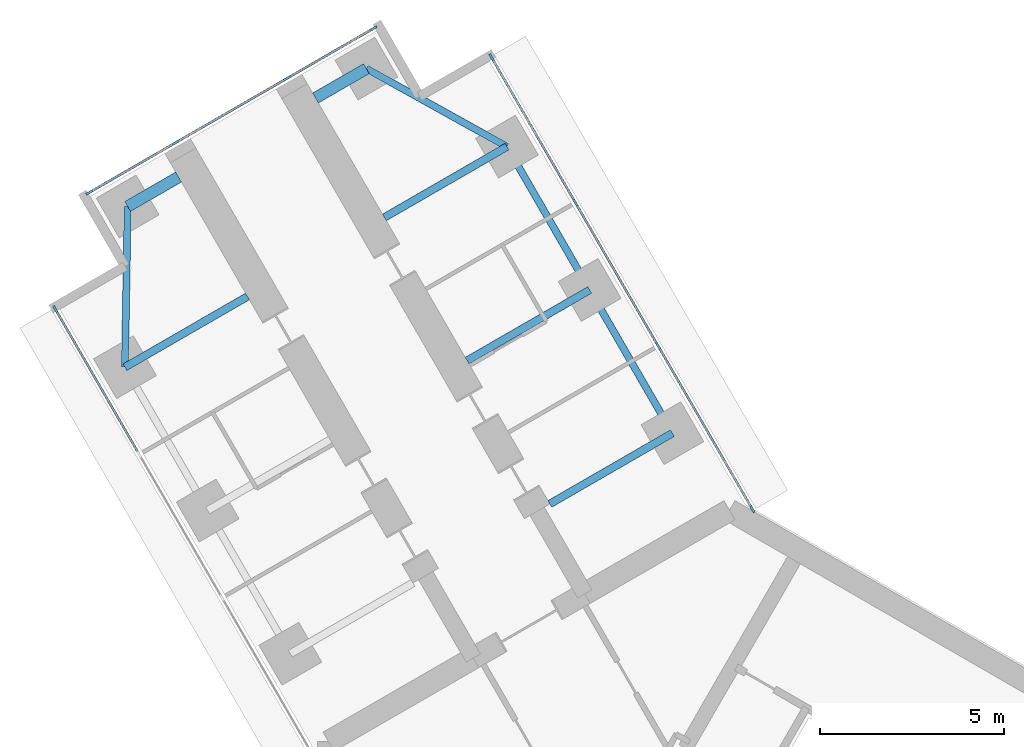
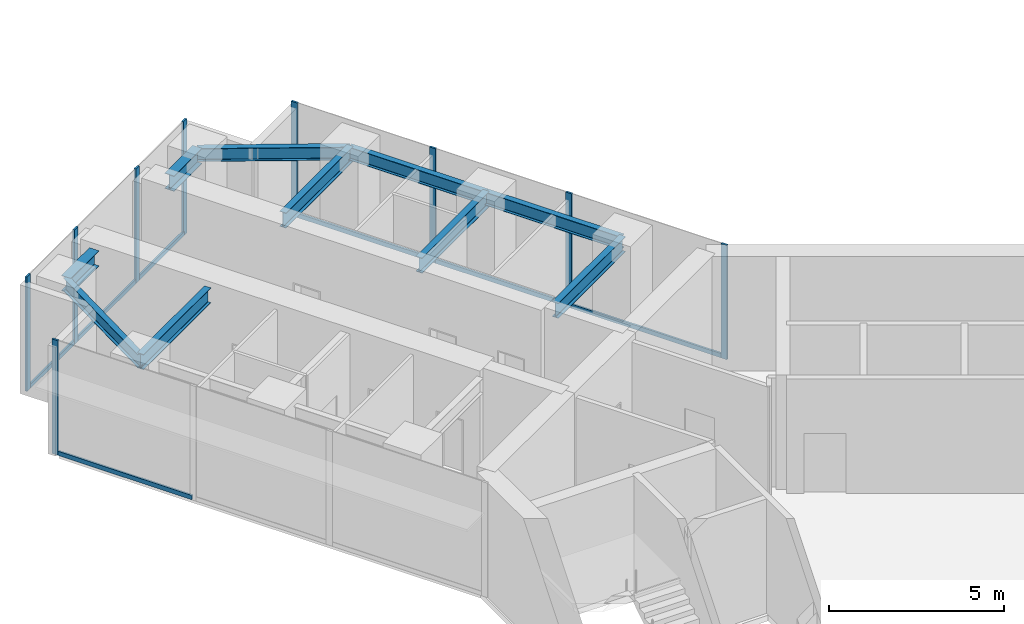
# One storey, part 6 of 23: 16 members, 10 beams, 3 elements without a shape of their own.
"""IFC4 building model written with IfcOpenShell, lengths in metres."""

from ifc_helpers import new_model, si_unit, direction, frame, origin, origin_2d, place, context, subcontext, project, spatial, rectangle, i_section, extrude, material, material_profile, profile_set, type_object, element, aggregate, save


model = new_model("IFC4")

# Units and contexts
model_context = context("Model", 3, precision=1e-05, world=origin(), true_north=direction((0.0, 1.0)))
body_context = subcontext(model_context, "Body", "Model", "MODEL_VIEW")
ifc_project = project(units=[si_unit("LENGTHUNIT", "METRE"), si_unit("AREAUNIT", "SQUARE_METRE"), si_unit("VOLUMEUNIT", "CUBIC_METRE"), si_unit("PLANEANGLEUNIT", "RADIAN"), si_unit("MASSUNIT", "GRAM", prefix="KILO")], contexts=[model_context])

# Site, building, storey
site_placement = place(None, origin())
site = spatial("IfcSite", under=ifc_project, at=site_placement, CompositionType="ELEMENT")
building_placement = place(site_placement, origin())
building = spatial("IfcBuilding", under=site, at=building_placement, Name="Upepo Twin Towers", CompositionType="ELEMENT")
storey_placement = place(building_placement, frame((0.0, 0.0, 153.5)))
storey = spatial("IfcBuildingStorey", under=building, at=storey_placement, Name="L37", CompositionType="ELEMENT", Elevation=153.5)

# Beams
ifc_material_1 = material(Name="Steel S355", Category="steel")
ifc_material_profile_1 = material_profile(ifc_material_1, i_section(OverallWidth=0.1904296875, OverallDepth=0.45703125, WebThickness=0.009033203125, FlangeThickness=0.014404296875, FilletRadius=0.01025390625, at=origin_2d()), Name="UB 457x191x74")
ifc_profile_set_1 = profile_set([ifc_material_profile_1], Name="Steel S355")
beam_type_1 = type_object("IfcBeamType", Name="Beam UB 457x191x74", PredefinedType="BEAM", material=ifc_profile_set_1)
beam_1_placement = place(storey_placement, frame((-16.446044921875, 16.485595703125, 3.571533203125), z_axis=(0.016803880528, 0.999858804832, 0.0), x_axis=(-0.999858804832, 0.016803880528, 0.0)))
element("IfcBeam", 1, at=beam_1_placement, inside=storey, type_object=beam_type_1, Name="T1 nose edge beam BL", PredefinedType="BEAM", context=body_context, shape_type="SweptSolid", body=[
    extrude(i_section(OverallWidth=0.1904296875, OverallDepth=0.45703125, WebThickness=0.009033203125, FlangeThickness=0.014404296875, FilletRadius=0.01025390625, at=origin_2d()), origin(), (0.0, 0.0, 1.0), 4.373291015625),
])
beam_2_placement = place(storey_placement, frame((-1.553955078125, 14.69140625, 3.571533203125), z_axis=(-0.500013631625, 0.866017533419, 0.0), x_axis=(-0.866017533419, -0.500013631625, 0.0)))
element("IfcBeam", 2, at=beam_2_placement, inside=storey, type_object=beam_type_1, Name="T1 edge beam BR 13.5-18.0", PredefinedType="BEAM", context=body_context, shape_type="SweptSolid", body=[
    extrude(i_section(OverallWidth=0.1904296875, OverallDepth=0.45703125, WebThickness=0.009033203125, FlangeThickness=0.014404296875, FilletRadius=0.01025390625, at=origin_2d()), origin(), (0.0, 0.0, 1.0), 4.499755859375),
])
beam_3_placement = place(storey_placement, frame((-3.803955078125, 18.58837890625, 3.571533203125), z_axis=(-0.499990139034, 0.866031096941, 0.0), x_axis=(-0.866031096941, -0.499990139034, 0.0)))
element("IfcBeam", 3, at=beam_3_placement, inside=storey, type_object=beam_type_1, Name="T1 edge beam BR 18.0-22.5", PredefinedType="BEAM", context=body_context, shape_type="SweptSolid", body=[
    extrude(i_section(OverallWidth=0.1904296875, OverallDepth=0.45703125, WebThickness=0.009033203125, FlangeThickness=0.014404296875, FilletRadius=0.01025390625, at=origin_2d()), origin(), (0.0, 0.0, 1.0), 4.5),
])
beam_4_placement = place(storey_placement, frame((-6.053955078125, 22.485595703125, 3.571533203125), z_axis=(-0.874312600038, 0.485363242752, 0.0), x_axis=(-0.485363242752, -0.874312600038, 0.0)))
element("IfcBeam", 4, at=beam_4_placement, inside=storey, type_object=beam_type_1, Name="T1 nose edge beam BR", PredefinedType="BEAM", context=body_context, shape_type="SweptSolid", body=[
    extrude(i_section(OverallWidth=0.1904296875, OverallDepth=0.45703125, WebThickness=0.009033203125, FlangeThickness=0.014404296875, FilletRadius=0.01025390625, at=origin_2d()), origin(), (0.0, 0.0, 1.0), 4.373046875),
])
ifc_material_2 = material(Name="Steel S355", Category="steel")
ifc_material_profile_2 = material_profile(ifc_material_2, i_section(OverallWidth=0.209228515625, OverallDepth=0.533203125, WebThickness=0.010009765625, FlangeThickness=0.015625, FilletRadius=0.0126953125, at=origin_2d()), Name="UB 533x210x92")
ifc_profile_set_2 = profile_set([ifc_material_profile_2], Name="Steel S355")
beam_type_2 = type_object("IfcBeamType", Name="Beam UB 533x210x92", PredefinedType="BEAM", material=ifc_profile_set_2)
for number, where, z_axis, x_axis, name in (
    (5, (-16.446044921875, 16.485595703125, 3.533447265625), (0.866006051527, 0.500033517596, 0.0), (-0.500033517596, 0.866006051527, 0.0), "T1 girder BL at 22.5"),
    (6, (-1.553955078125, 14.69140625, 3.533447265625), (-0.866006051527, -0.500033517596, 0.0), (0.500033517596, -0.866006051527, 0.0), "T1 girder BR at 13.5"),
):
    element("IfcBeam", number, at=place(storey_placement, frame(where, z_axis=z_axis, x_axis=x_axis)), inside=storey, type_object=beam_type_2, Name=name, PredefinedType="BEAM", context=body_context, shape_type="SweptSolid", body=[
        extrude(i_section(OverallWidth=0.209228515625, OverallDepth=0.533203125, WebThickness=0.010009765625, FlangeThickness=0.015625, FilletRadius=0.0126953125, at=origin_2d()), origin(), (0.0, 0.0, 1.0), 3.849853515625),
    ])
beam_5_placement = place(storey_placement, frame((-3.803955078125, 18.58837890625, 3.533447265625), z_axis=(-0.866033512162, -0.499985955615, 0.0), x_axis=(0.499985955615, -0.866033512162, 0.0)))
element("IfcBeam", 7, at=beam_5_placement, inside=storey, type_object=beam_type_2, Name="T1 girder BR at 18.0", PredefinedType="BEAM", context=body_context, shape_type="SweptSolid", body=[
    extrude(i_section(OverallWidth=0.209228515625, OverallDepth=0.533203125, WebThickness=0.010009765625, FlangeThickness=0.015625, FilletRadius=0.0126953125, at=origin_2d()), origin(), (0.0, 0.0, 1.0), 3.849609375),
])
beam_6_placement = place(storey_placement, frame((-6.053955078125, 22.485595703125, 3.533447265625), z_axis=(-0.866006051527, -0.500033517596, 0.0), x_axis=(0.500033517596, -0.866006051527, 0.0)))
element("IfcBeam", 8, at=beam_6_placement, inside=storey, type_object=beam_type_2, Name="T1 girder BR at 22.5", PredefinedType="BEAM", context=body_context, shape_type="SweptSolid", body=[
    extrude(i_section(OverallWidth=0.209228515625, OverallDepth=0.533203125, WebThickness=0.010009765625, FlangeThickness=0.015625, FilletRadius=0.0126953125, at=origin_2d()), origin(), (0.0, 0.0, 1.0), 3.849853515625),
])
ifc_material_3 = material(Name="Steel S355", Category="steel")
ifc_material_profile_3 = material_profile(ifc_material_3, i_section(OverallWidth=0.31201171875, OverallDepth=0.54345703125, WebThickness=0.0126953125, FlangeThickness=0.020263671875, FilletRadius=0.0126953125, at=origin_2d()), Name="UB 533x312x150")
ifc_profile_set_3 = profile_set([ifc_material_profile_3], Name="Steel S355")
beam_type_3 = type_object("IfcBeamType", Name="Beam UB 533x312x150", PredefinedType="BEAM", material=ifc_profile_set_3)
for number, where, z_axis, x_axis, name in (
    (9, (-16.37255859375, 20.858154296875, 3.5283203125), (0.865989903783, 0.500061482766, 0.0), (-0.500061482766, 0.865989903783, 0.0), "T1 nose beam BL"),
    (10, (-9.87744140625, 24.608154296875, 3.5283203125), (-0.865989903783, -0.500061482766, 0.0), (0.500061482766, -0.865989903783, 0.0), "T1 nose beam BR"),
):
    element("IfcBeam", number, at=place(storey_placement, frame(where, z_axis=z_axis, x_axis=x_axis)), inside=storey, type_object=beam_type_3, Name=name, PredefinedType="BEAM", context=body_context, shape_type="SweptSolid", body=[
        extrude(i_section(OverallWidth=0.31201171875, OverallDepth=0.54345703125, WebThickness=0.0126953125, FlangeThickness=0.020263671875, FilletRadius=0.0126953125, at=origin_2d()), origin(), (0.0, 0.0, 1.0), 1.599853515625),
    ])

# Curtain wall, member
ifc_material_4 = material(Name="Aluminium and fritted glass", Category="aluminium")
curtain_wall_type = type_object("IfcCurtainWallType", Name="Tower curtain wall TW2, fritted glass", PredefinedType="NOTDEFINED", material=ifc_material_4)
curtain_wall_1_placement = place(storey_placement, origin())
curtain_wall_1 = element("IfcCurtainWall", 11, at=curtain_wall_1_placement, inside=storey, type_object=curtain_wall_type, Name="T1 L37 wing B flank L curtain wall", PredefinedType="NOTDEFINED")
ifc_material_5 = material(Name="Aluminium mullion", Category="aluminium")
ifc_material_profile_4 = material_profile(ifc_material_5, rectangle(XDim=0.06494140625, YDim=0.199951171875, at=origin_2d()), Name="MULLION 65x200")
ifc_profile_set_4 = profile_set([ifc_material_profile_4], Name="Aluminium mullion")
member_type_1 = type_object("IfcMemberType", Name="Mullion 65x200 TW2", PredefinedType="MULLION", material=ifc_profile_set_4)
member_1_placement = place(storey_placement, frame((-18.341064453125, 18.067626953125, 0.0), z_axis=(0.0, 0.0, 1.0), x_axis=(-0.866025397833, -0.500000010308, 0.0)))
member_1 = element("IfcMember", 12, at=member_1_placement, type_object=member_type_1, Name="T1 L37 wing B flank L curtain wall mullion 4", PredefinedType="MULLION", context=body_context, shape_type="SweptSolid", body=[
    extrude(rectangle(XDim=0.06494140625, YDim=0.199951171875, at=origin_2d()), origin(), (0.0, 0.0, 1.0), 4.0),
])

# Curtain wall, members
curtain_wall_2_placement = place(storey_placement, origin())
curtain_wall_2 = element("IfcCurtainWall", 13, at=curtain_wall_2_placement, inside=storey, type_object=curtain_wall_type, Name="T1 L37 wing B flank R curtain wall", PredefinedType="NOTDEFINED")
member_2_placement = place(storey_placement, frame((-6.4765625, 24.91748046875, 0.0), z_axis=(0.0, 0.0, 1.0), x_axis=(0.866025397833, 0.500000010308, 0.0)))
member_2 = element("IfcMember", 14, at=member_2_placement, type_object=member_type_1, Name="T1 L37 wing B flank R curtain wall mullion 1", PredefinedType="MULLION", context=body_context, shape_type="SweptSolid", body=[
    extrude(rectangle(XDim=0.06494140625, YDim=0.199951171875, at=origin_2d()), origin(), (0.0, 0.0, 1.0), 4.0),
])
member_3_placement = place(storey_placement, frame((-4.192626953125, 20.9619140625, 0.0), z_axis=(0.0, 0.0, 1.0), x_axis=(0.866025397833, 0.500000010308, 0.0)))
member_3 = element("IfcMember", 15, at=member_3_placement, type_object=member_type_1, Name="T1 L37 wing B flank R curtain wall mullion 2", PredefinedType="MULLION", context=body_context, shape_type="SweptSolid", body=[
    extrude(rectangle(XDim=0.06494140625, YDim=0.199951171875, at=origin_2d()), origin(), (0.0, 0.0, 1.0), 4.0),
])
member_4_placement = place(storey_placement, frame((-1.942626953125, 17.06494140625, 0.0), z_axis=(0.0, 0.0, 1.0), x_axis=(0.866025397833, 0.500000010308, 0.0)))
member_4 = element("IfcMember", 16, at=member_4_placement, type_object=member_type_1, Name="T1 L37 wing B flank R curtain wall mullion 3", PredefinedType="MULLION", context=body_context, shape_type="SweptSolid", body=[
    extrude(rectangle(XDim=0.06494140625, YDim=0.199951171875, at=origin_2d()), origin(), (0.0, 0.0, 1.0), 4.0),
])
member_5_placement = place(storey_placement, frame((0.62255859375, 12.621826171875, 0.0), z_axis=(0.0, 0.0, 1.0), x_axis=(0.866025397833, 0.500000010308, 0.0)))
member_5 = element("IfcMember", 17, at=member_5_placement, type_object=member_type_1, Name="T1 L37 wing B flank R curtain wall mullion 4", PredefinedType="MULLION", context=body_context, shape_type="SweptSolid", body=[
    extrude(rectangle(XDim=0.06494140625, YDim=0.199951171875, at=origin_2d()), origin(), (0.0, 0.0, 1.0), 4.0),
])

curtain_wall_3_placement = place(storey_placement, origin())
curtain_wall_3 = element("IfcCurtainWall", 18, at=curtain_wall_3_placement, inside=storey, type_object=curtain_wall_type, Name="T1 L37 wing B nose curtain wall", PredefinedType="NOTDEFINED")
member_6_placement = place(storey_placement, frame((-9.68115234375, 25.703125, 0.0), z_axis=(0.0, 0.0, 1.0), x_axis=(0.500000030502, -0.866025386174, 0.0)))
member_6 = element("IfcMember", 19, at=member_6_placement, type_object=member_type_1, Name="T1 L37 wing B nose curtain wall mullion 1", PredefinedType="MULLION", context=body_context, shape_type="SweptSolid", body=[
    extrude(rectangle(XDim=0.06494140625, YDim=0.199951171875, at=origin_2d()), origin(), (0.0, 0.0, 1.0), 4.0),
])
member_7_placement = place(storey_placement, frame((-12.034423828125, 24.34423828125, 0.0), z_axis=(0.0, 0.0, 1.0), x_axis=(0.500000030502, -0.866025386174, 0.0)))
member_7 = element("IfcMember", 20, at=member_7_placement, type_object=member_type_1, Name="T1 L37 wing B nose curtain wall mullion 2", PredefinedType="MULLION", context=body_context, shape_type="SweptSolid", body=[
    extrude(rectangle(XDim=0.06494140625, YDim=0.199951171875, at=origin_2d()), origin(), (0.0, 0.0, 1.0), 4.0),
])
member_8_placement = place(storey_placement, frame((-15.0654296875, 22.59423828125, 0.0), z_axis=(0.0, 0.0, 1.0), x_axis=(0.500000030502, -0.866025386174, 0.0)))
member_8 = element("IfcMember", 21, at=member_8_placement, type_object=member_type_1, Name="T1 L37 wing B nose curtain wall mullion 3", PredefinedType="MULLION", context=body_context, shape_type="SweptSolid", body=[
    extrude(rectangle(XDim=0.06494140625, YDim=0.199951171875, at=origin_2d()), origin(), (0.0, 0.0, 1.0), 4.0),
])
member_9_placement = place(storey_placement, frame((-17.4189453125, 21.235595703125, 0.0), z_axis=(0.0, 0.0, 1.0), x_axis=(0.500000030502, -0.866025386174, 0.0)))
member_9 = element("IfcMember", 22, at=member_9_placement, type_object=member_type_1, Name="T1 L37 wing B nose curtain wall mullion 4", PredefinedType="MULLION", context=body_context, shape_type="SweptSolid", body=[
    extrude(rectangle(XDim=0.06494140625, YDim=0.199951171875, at=origin_2d()), origin(), (0.0, 0.0, 1.0), 4.0),
])

# Member
ifc_material_6 = material(Name="Aluminium transom", Category="aluminium")
ifc_material_profile_5 = material_profile(ifc_material_6, rectangle(XDim=0.06494140625, YDim=0.14990234375, at=origin_2d()), Name="TRANSOM 65x150")
ifc_profile_set_5 = profile_set([ifc_material_profile_5], Name="Aluminium transom")
member_type_2 = type_object("IfcMemberType", Name="Transom 65x150 TW2", PredefinedType="USERDEFINED", material=ifc_profile_set_5)
member_10_placement = place(storey_placement, frame((-16.073486328125, 14.14013671875, 0.074951171875), z_axis=(-0.499982167615, 0.866035699072, 0.0), x_axis=(-0.866035699072, -0.499982167615, 0.0)))
member_10 = element("IfcMember", 23, at=member_10_placement, type_object=member_type_2, Name="T1 L37 wing B flank L curtain wall transom 3", ObjectType="TRANSOM", PredefinedType="USERDEFINED", context=body_context, shape_type="SweptSolid", body=[
    extrude(rectangle(XDim=0.06494140625, YDim=0.14990234375, at=origin_2d()), origin(), (0.0, 0.0, 1.0), 4.502685546875),
])

aggregate(curtain_wall_1, [member_1, member_10])

member_11_placement = place(storey_placement, frame((-6.460205078125, 24.889404296875, 0.074951171875), z_axis=(0.500005646842, -0.866022143554, 0.0), x_axis=(0.866022143554, 0.500005646842, 0.0)))
member_11 = element("IfcMember", 24, at=member_11_placement, type_object=member_type_2, Name="T1 L37 wing B flank R curtain wall transom 1", ObjectType="TRANSOM", PredefinedType="USERDEFINED", context=body_context, shape_type="SweptSolid", body=[
    extrude(rectangle(XDim=0.06494140625, YDim=0.14990234375, at=origin_2d()), origin(), (0.0, 0.0, 1.0), 4.50244140625),
])

member_12_placement = place(storey_placement, frame((-4.176513671875, 20.933837890625, 0.074951171875), z_axis=(0.500005184116, -0.866022410713, 0.0), x_axis=(0.866022410713, 0.500005184116, 0.0)))
member_12 = element("IfcMember", 25, at=member_12_placement, type_object=member_type_2, Name="T1 L37 wing B flank R curtain wall transom 2", ObjectType="TRANSOM", PredefinedType="USERDEFINED", context=body_context, shape_type="SweptSolid", body=[
    extrude(rectangle(XDim=0.06494140625, YDim=0.14990234375, at=origin_2d()), origin(), (0.0, 0.0, 1.0), 4.43505859375),
])

member_13_placement = place(storey_placement, frame((-1.926513671875, 17.036865234375, 0.074951171875), z_axis=(0.499985288567, -0.866033897268, 0.0), x_axis=(0.866033897268, 0.499985288567, 0.0)))
member_13 = element("IfcMember", 26, at=member_13_placement, type_object=member_type_2, Name="T1 L37 wing B flank R curtain wall transom 3", ObjectType="TRANSOM", PredefinedType="USERDEFINED", context=body_context, shape_type="SweptSolid", body=[
    extrude(rectangle(XDim=0.06494140625, YDim=0.14990234375, at=origin_2d()), origin(), (0.0, 0.0, 1.0), 5.065673828125),
])

aggregate(curtain_wall_2, [member_2, member_3, member_4, member_5, member_11, member_12, member_13])

member_14_placement = place(storey_placement, frame((-9.709228515625, 25.686767578125, 0.074951171875), z_axis=(-0.866036909293, -0.499980071345, 0.0), x_axis=(0.499980071345, -0.866036909293, 0.0)))
member_14 = element("IfcMember", 27, at=member_14_placement, type_object=member_type_2, Name="T1 L37 wing B nose curtain wall transom 1", ObjectType="TRANSOM", PredefinedType="USERDEFINED", context=body_context, shape_type="SweptSolid", body=[
    extrude(rectangle(XDim=0.06494140625, YDim=0.14990234375, at=origin_2d()), origin(), (0.0, 0.0, 1.0), 2.65234375),
])

member_15_placement = place(storey_placement, frame((-12.0625, 24.328125, 0.074951171875), z_axis=(-0.866025804792, -0.499999305434, 0.0), x_axis=(0.499999305434, -0.866025804792, 0.0)))
member_15 = element("IfcMember", 28, at=member_15_placement, type_object=member_type_2, Name="T1 L37 wing B nose curtain wall transom 2", ObjectType="TRANSOM", PredefinedType="USERDEFINED", context=body_context, shape_type="SweptSolid", body=[
    extrude(rectangle(XDim=0.06494140625, YDim=0.14990234375, at=origin_2d()), origin(), (0.0, 0.0, 1.0), 3.43505859375),
])

member_16_placement = place(storey_placement, frame((-15.09375, 22.578125, 0.074951171875), z_axis=(-0.865997053448, -0.500049101008, 0.0), x_axis=(0.500049101008, -0.865997053448, 0.0)))
member_16 = element("IfcMember", 29, at=member_16_placement, type_object=member_type_2, Name="T1 L37 wing B nose curtain wall transom 3", ObjectType="TRANSOM", PredefinedType="USERDEFINED", context=body_context, shape_type="SweptSolid", body=[
    extrude(rectangle(XDim=0.06494140625, YDim=0.14990234375, at=origin_2d()), origin(), (0.0, 0.0, 1.0), 2.652587890625),
])

aggregate(curtain_wall_3, [member_6, member_7, member_8, member_9, member_14, member_15, member_16])

save(model, "model.ifc")
